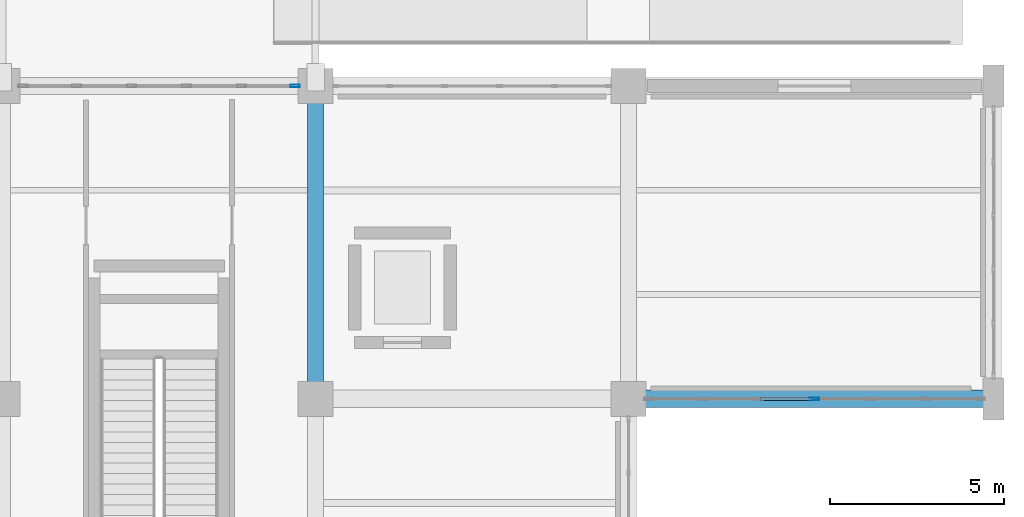
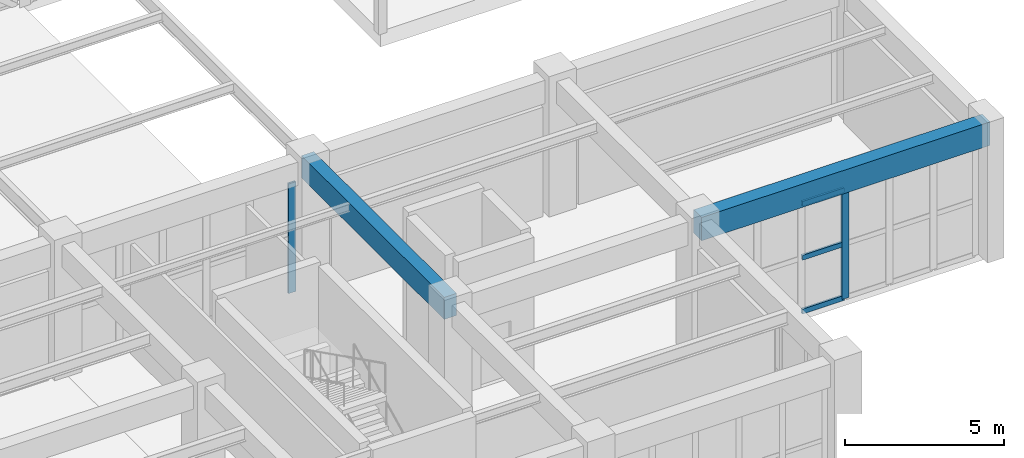
# One storey, part 82 of 140: 5 members, 2 beams, 2 elements without a shape of their own.
"""IFC4 building model written with IfcOpenShell, lengths in metres."""

from ifc_helpers import new_model, si_unit, direction, frame, origin, origin_2d, place, context, subcontext, project, spatial, rectangle, hollow_rectangle, extrude, material, material_profile, profile_set, type_object, element, aggregate, save


model = new_model("IFC4")

# Units and contexts
model_context = context("Model", 3, precision=1e-05, world=origin(), true_north=direction((0.0, 1.0)))
body_context = subcontext(model_context, "Body", "Model", "MODEL_VIEW")
ifc_project = project(units=[si_unit("LENGTHUNIT", "METRE"), si_unit("AREAUNIT", "SQUARE_METRE"), si_unit("VOLUMEUNIT", "CUBIC_METRE"), si_unit("PLANEANGLEUNIT", "RADIAN"), si_unit("MASSUNIT", "GRAM", prefix="KILO")], contexts=[model_context])

# Site, building, storey
site_placement = place(None, origin())
site = spatial("IfcSite", under=ifc_project, at=site_placement, CompositionType="ELEMENT")
building_placement = place(site_placement, origin())
building = spatial("IfcBuilding", under=site, at=building_placement, Name="Haizhuo Lancet Aquarium", CompositionType="ELEMENT")
storey_placement = place(building_placement, origin())
storey = spatial("IfcBuildingStorey", under=building, at=storey_placement, Name="L00", CompositionType="ELEMENT", Elevation=0.0)

# Beams
ifc_material_1 = material(Name="Concrete C40/50", Category="concrete")
ifc_material_profile_1 = material_profile(ifc_material_1, rectangle(XDim=0.449951171875, YDim=0.85009765625, at=origin_2d()), Name="RC-BM 450x850")
ifc_profile_set_1 = profile_set([ifc_material_profile_1], Name="Concrete C40/50")
beam_type_1 = type_object("IfcBeamType", Name="BM-RC-450x850", PredefinedType="BEAM", material=ifc_profile_set_1)
beam_1_placement = place(storey_placement, frame((63.0, -18.0, 4.695068359375), z_axis=(0.0, 1.0, 0.0), x_axis=(-1.0, 0.0, 0.0)))
element("IfcBeam", 1, at=beam_1_placement, inside=storey, type_object=beam_type_1, Name="L00 V3 primary girder BM-L00-V3-028", PredefinedType="BEAM", context=body_context, shape_type="SweptSolid", body=[
    extrude(rectangle(XDim=0.449951171875, YDim=0.85009765625, at=origin_2d()), origin(), (0.0, 0.0, 1.0), 9.0),
])
ifc_material_profile_2 = material_profile(ifc_material_1, rectangle(XDim=0.5, YDim=0.89990234375, at=origin_2d()), Name="RC-BM 500x900")
ifc_profile_set_2 = profile_set([ifc_material_profile_2], Name="Concrete C40/50")
beam_type_2 = type_object("IfcBeamType", Name="BM-RC-500x900", PredefinedType="BEAM", material=ifc_profile_set_2)
beam_2_placement = place(storey_placement, frame((72.0, -18.0, 4.669921875), z_axis=(1.0, 0.0, 0.0), x_axis=(0.0, 1.0, 0.0)))
element("IfcBeam", 2, at=beam_2_placement, inside=storey, type_object=beam_type_2, Name="L00 V3 primary girder BM-L00-V3-033", PredefinedType="BEAM", context=body_context, shape_type="SweptSolid", body=[
    extrude(rectangle(XDim=0.5, YDim=0.89990234375, at=origin_2d()), origin(), (0.0, 0.0, 1.0), 10.5),
])

# Curtain wall, member
ifc_material_2 = material(Name="Aluminium 6063-T6", Category="aluminium")
curtain_wall_type_1 = type_object("IfcCurtainWallType", Name="CWO-7910x4220", PredefinedType="NOTDEFINED", material=ifc_material_2)
curtain_wall_1_placement = place(storey_placement, origin())
curtain_wall_1 = element("IfcCurtainWall", 3, at=curtain_wall_1_placement, inside=storey, type_object=curtain_wall_type_1, Name="L00 curtain wall CW-V3-L00-030", PredefinedType="NOTDEFINED")
ifc_material_profile_3 = material_profile(ifc_material_2, hollow_rectangle(XDim=0.080078125, YDim=0.260009765625, WallThickness=0.0048828125, at=origin_2d()), Name="ALU-M 80x260x5")
ifc_profile_set_3 = profile_set([ifc_material_profile_3], Name="Aluminium 6063-T6")
member_type_1 = type_object("IfcMemberType", Name="CW-MUL-3", PredefinedType="MULLION", material=ifc_profile_set_3)
member_1_placement = place(storey_placement, frame((62.4150390625, -9.0, 0.0), z_axis=(0.0, 0.0, 1.0), x_axis=(0.0, 1.0, 0.0)))
member_1 = element("IfcMember", 4, at=member_1_placement, type_object=member_type_1, Name="CWO-79x42 mullion 6", PredefinedType="MULLION", context=body_context, shape_type="SweptSolid", body=[
    extrude(hollow_rectangle(XDim=0.080078125, YDim=0.260009765625, WallThickness=0.0048828125, at=origin_2d()), origin(), (0.0, 0.0, 1.0), 4.219970703125),
])
aggregate(curtain_wall_1, [member_1])

# Curtain wall, members
curtain_wall_type_2 = type_object("IfcCurtainWallType", Name="CWO-9610x4220", PredefinedType="NOTDEFINED", material=ifc_material_2)
curtain_wall_2_placement = place(storey_placement, origin())
curtain_wall_2 = element("IfcCurtainWall", 5, at=curtain_wall_2_placement, inside=storey, type_object=curtain_wall_type_2, Name="L00 curtain wall CW-V3-L00-033", PredefinedType="NOTDEFINED")
member_2_placement = place(storey_placement, frame((77.35009765625, -18.0, 0.0), z_axis=(0.0, 0.0, 1.0), x_axis=(0.0, -1.0, 0.0)))
member_2 = element("IfcMember", 6, at=member_2_placement, type_object=member_type_1, Name="CWO-96x42 mullion 4", PredefinedType="MULLION", context=body_context, shape_type="SweptSolid", body=[
    extrude(hollow_rectangle(XDim=0.080078125, YDim=0.260009765625, WallThickness=0.0048828125, at=origin_2d()), origin(), (0.0, 0.0, 1.0), 4.219970703125),
])
ifc_material_profile_4 = material_profile(ifc_material_2, hollow_rectangle(XDim=0.080078125, YDim=0.18994140625, WallThickness=0.0048828125, at=origin_2d()), Name="ALU-T 80x190x5")
ifc_profile_set_4 = profile_set([ifc_material_profile_4], Name="Aluminium 6063-T6")
member_type_2 = type_object("IfcMemberType", Name="CW-TRN-3", PredefinedType="NOTDEFINED", material=ifc_profile_set_4)
member_3_placement = place(storey_placement, frame((77.31005859375, -18.0, 0.0400390625), z_axis=(-1.0, 0.0, 0.0), x_axis=(0.0, -1.0, 0.0)))
member_3 = element("IfcMember", 7, at=member_3_placement, type_object=member_type_2, Name="CWO-96x42 transom 4.1", ObjectType="TRANSOM", PredefinedType="USERDEFINED", context=body_context, shape_type="SweptSolid", body=[
    extrude(hollow_rectangle(XDim=0.080078125, YDim=0.18994140625, WallThickness=0.0048828125, at=origin_2d()), origin(), (0.0, 0.0, 1.0), 1.52197265625),
])
member_4_placement = place(storey_placement, frame((77.31005859375, -18.0, 2.110107421875), z_axis=(-1.0, 0.0, 0.0), x_axis=(0.0, -1.0, 0.0)))
member_4 = element("IfcMember", 8, at=member_4_placement, type_object=member_type_2, Name="CWO-96x42 transom 4.2", ObjectType="TRANSOM", PredefinedType="USERDEFINED", context=body_context, shape_type="SweptSolid", body=[
    extrude(hollow_rectangle(XDim=0.080078125, YDim=0.18994140625, WallThickness=0.0048828125, at=origin_2d()), origin(), (0.0, 0.0, 1.0), 1.52197265625),
])
member_5_placement = place(storey_placement, frame((77.31005859375, -18.0, 4.179931640625), z_axis=(-1.0, 0.0, 0.0), x_axis=(0.0, -1.0, 0.0)))
member_5 = element("IfcMember", 9, at=member_5_placement, type_object=member_type_2, Name="CWO-96x42 transom 4.3", ObjectType="TRANSOM", PredefinedType="USERDEFINED", context=body_context, shape_type="SweptSolid", body=[
    extrude(hollow_rectangle(XDim=0.080078125, YDim=0.18994140625, WallThickness=0.0048828125, at=origin_2d()), origin(), (0.0, 0.0, 1.0), 1.52197265625),
])
aggregate(curtain_wall_2, [member_2, member_3, member_4, member_5])

save(model, "model.ifc")
